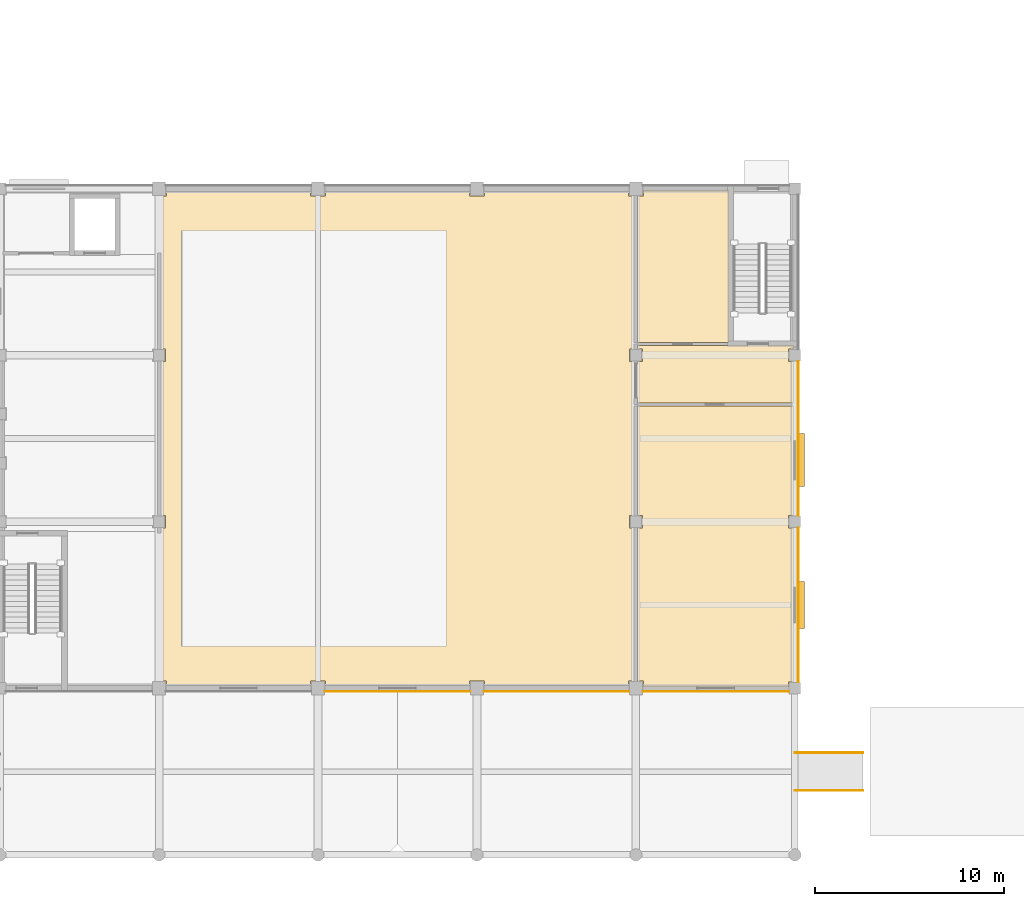
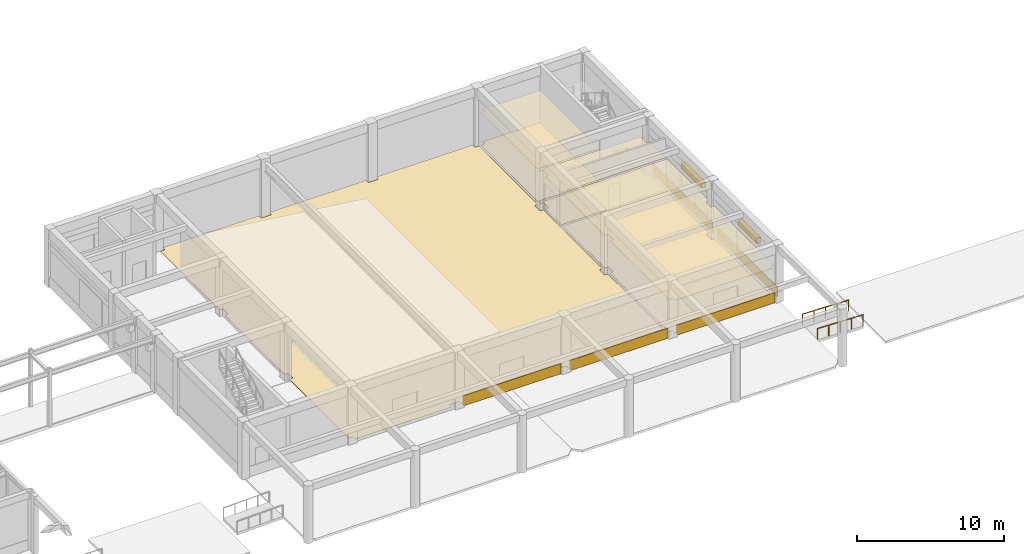
# One storey, part 47 of 58: 12 coverings, 2 railings, 2 shading devices.
"""IFC4 building model written with IfcOpenShell, lengths in metres."""

from ifc_helpers import new_model, si_unit, direction, frame, origin, origin_2d, place, context, subcontext, project, spatial, polyline, rectangle, circle, outline, extrude, material, layer, layer_set, type_object, element, save


model = new_model("IFC4")

# Units and contexts
model_context = context("Model", 3, precision=1e-05, world=origin(), true_north=direction((0.0, 1.0)))
body_context = subcontext(model_context, "Body", "Model", "MODEL_VIEW")
ifc_project = project(units=[si_unit("LENGTHUNIT", "METRE"), si_unit("AREAUNIT", "SQUARE_METRE"), si_unit("VOLUMEUNIT", "CUBIC_METRE"), si_unit("PLANEANGLEUNIT", "RADIAN"), si_unit("MASSUNIT", "GRAM", prefix="KILO")], contexts=[model_context])

# Site, building, storey
site_placement = place(None, origin())
site = spatial("IfcSite", under=ifc_project, at=site_placement, CompositionType="ELEMENT")
building_placement = place(site_placement, origin())
building = spatial("IfcBuilding", under=site, at=building_placement, Name="Kemercrest Conservatory and Botanical Centre", CompositionType="ELEMENT")
storey_placement = place(building_placement, origin())
storey = spatial("IfcBuildingStorey", under=building, at=storey_placement, Name="L00", CompositionType="ELEMENT", Elevation=0.0)

# Coverings
ifc_material_1 = material(Name="Honed limestone almasik ashlar rainscreen", Category="masonry")
ifc_layer_1 = layer(ifc_material_1, 0.0400390625)
ifc_layer_set_1 = layer_set([ifc_layer_1], Name="Honed limestone almasik ashlar rainscreen")
covering_type_1 = type_object("IfcCoveringType", Name="CV-CLD040", PredefinedType="CLADDING", material=ifc_layer_set_1)
covering_1_placement = place(storey_placement, origin())
element("IfcCovering", 1, at=covering_1_placement, inside=storey, type_object=covering_type_1, Name="Exterior stone spandrel cladding (WAL:L00:EXT-023)", PredefinedType="CLADDING", context=body_context, shape_type="SweptSolid", body=[
    extrude(outline(polyline([(75.56005859375, 16.64990234375), (75.56005859375, 16.610107421875), (83.239990234375, 16.610107421875), (83.239990234375, 16.64990234375), (75.56005859375, 16.64990234375)])), origin(), (0.0, 0.0, 1.0), 0.85009765625),
])
covering_2_placement = place(storey_placement, origin())
element("IfcCovering", 2, at=covering_2_placement, inside=storey, type_object=covering_type_1, Name="Exterior stone spandrel cladding (WAL:L00:EXT-024)", PredefinedType="CLADDING", context=body_context, shape_type="SweptSolid", body=[
    extrude(outline(polyline([(83.9599609375, 16.64990234375), (83.9599609375, 16.610107421875), (91.639892578125, 16.610107421875), (91.639892578125, 16.64990234375), (83.9599609375, 16.64990234375)])), origin(), (0.0, 0.0, 1.0), 0.85009765625),
])
covering_3_placement = place(storey_placement, origin())
element("IfcCovering", 3, at=covering_3_placement, inside=storey, type_object=covering_type_1, Name="Exterior stone spandrel cladding (WAL:L00:EXT-025)", PredefinedType="CLADDING", context=body_context, shape_type="SweptSolid", body=[
    extrude(outline(polyline([(92.360107421875, 16.64990234375), (92.360107421875, 16.610107421875), (100.090087890625, 16.610107421875), (100.090087890625, 16.64990234375), (92.360107421875, 16.64990234375)])), origin(), (0.0, 0.0, 1.0), 0.85009765625),
])
covering_4_placement = place(storey_placement, origin())
element("IfcCovering", 4, at=covering_4_placement, inside=storey, type_object=covering_type_1, Name="Exterior stone spandrel cladding (WAL:L00:EXT-026)", PredefinedType="CLADDING", context=body_context, shape_type="SweptSolid", body=[
    extrude(outline(polyline([(100.550048828125, 17.110107421875), (100.590087890625, 17.110107421875), (100.590087890625, 25.2900390625), (100.550048828125, 25.2900390625), (100.550048828125, 17.110107421875)])), origin(), (0.0, 0.0, 1.0), 0.85009765625),
])
covering_5_placement = place(storey_placement, origin())
element("IfcCovering", 5, at=covering_5_placement, inside=storey, type_object=covering_type_1, Name="Exterior stone spandrel cladding (WAL:L00:EXT-027)", PredefinedType="CLADDING", context=body_context, shape_type="SweptSolid", body=[
    extrude(outline(polyline([(100.550048828125, 25.909912109375), (100.590087890625, 25.909912109375), (100.590087890625, 34.090087890625), (100.550048828125, 34.090087890625), (100.550048828125, 25.909912109375)])), origin(), (0.0, 0.0, 1.0), 0.85009765625),
])
ifc_material_2 = material(Name="Perforated acoustic gypsum and mineral-fibre suspended ceiling", Category="gypsum")
ifc_layer_2 = layer(ifc_material_2, 0.034912109375)
ifc_layer_set_2 = layer_set([ifc_layer_2], Name="Perforated acoustic gypsum and mineral-fibre suspended ceiling")
covering_type_2 = type_object("IfcCoveringType", Name="CV-CLG035", PredefinedType="CEILING", material=ifc_layer_set_2)
covering_6_placement = place(storey_placement, frame((0.0, 0.0, 2.699951171875)))
element("IfcCovering", 6, at=covering_6_placement, inside=storey, type_object=covering_type_2, Name="Stage Support Corridor suspended acoustic ceiling", PredefinedType="CEILING", context=body_context, shape_type="SweptSolid", body=[
    extrude(outline(polyline([(92.080078125, 31.8798828125), (100.320068359375, 31.8798828125), (100.320068359375, 34.06005859375), (100.06005859375, 34.06005859375), (100.06005859375, 34.739990234375), (100.320068359375, 34.739990234375), (100.320068359375, 34.919921875), (92.080078125, 34.919921875), (92.080078125, 34.739990234375), (92.340087890625, 34.739990234375), (92.340087890625, 34.06005859375), (92.080078125, 34.06005859375), (92.080078125, 31.8798828125)])), origin(), (0.0, 0.0, 1.0), 0.03515625),
])
covering_7_placement = place(storey_placement, frame((0.0, 0.0, 2.699951171875)))
element("IfcCovering", 7, at=covering_7_placement, inside=storey, type_object=covering_type_2, Name="Speakers Green Room suspended acoustic ceiling", PredefinedType="CEILING", context=body_context, shape_type="SweptSolid", body=[
    extrude(outline(polyline([(92.389892578125, 16.8798828125), (100.06005859375, 16.8798828125), (100.06005859375, 17.139892578125), (100.320068359375, 17.139892578125), (100.320068359375, 25.260009765625), (100.06005859375, 25.260009765625), (100.06005859375, 25.93994140625), (100.320068359375, 25.93994140625), (100.320068359375, 31.719970703125), (92.080078125, 31.719970703125), (92.080078125, 25.93994140625), (92.340087890625, 25.93994140625), (92.340087890625, 25.260009765625), (92.080078125, 25.260009765625), (92.080078125, 17.18994140625), (92.389892578125, 17.18994140625), (92.389892578125, 16.8798828125)])), origin(), (0.0, 0.0, 1.0), 0.03515625),
])
covering_8_placement = place(storey_placement, frame((0.0, 0.0, 2.699951171875)))
element("IfcCovering", 8, at=covering_8_placement, inside=storey, type_object=covering_type_2, Name="Backstage Technical Studio suspended acoustic ceiling", PredefinedType="CEILING", context=body_context, shape_type="SweptSolid", body=[
    extrude(outline(polyline([(92.080078125, 35.080078125), (96.919921875, 35.080078125), (96.919921875, 43.1201171875), (92.389892578125, 43.1201171875), (92.389892578125, 42.81005859375), (92.080078125, 42.81005859375), (92.080078125, 35.080078125)])), origin(), (0.0, 0.0, 1.0), 0.03515625),
])
ifc_material_3 = material(Name="Polished limestone terrazzo and seamless laboratory epoxy flooring", Category="masonry")
ifc_layer_3 = layer(ifc_material_3, 0.02001953125)
ifc_layer_set_3 = layer_set([ifc_layer_3], Name="Polished limestone terrazzo and seamless laboratory epoxy flooring")
covering_type_3 = type_object("IfcCoveringType", Name="CV-FLR020", PredefinedType="FLOORING", material=ifc_layer_set_3)
covering_9_placement = place(storey_placement, origin())
element("IfcCovering", 9, at=covering_9_placement, inside=storey, type_object=covering_type_3, Name="Symposium Auditorium terrazzo floor finish", PredefinedType="FLOORING", context=body_context, shape_type="SweptSolid", body=[
    extrude(outline(polyline([(83.989990234375, 16.8798828125), (91.610107421875, 16.8798828125), (91.610107421875, 17.18994140625), (91.919921875, 17.18994140625), (91.919921875, 25.260009765625), (91.659912109375, 25.260009765625), (91.659912109375, 25.93994140625), (91.919921875, 25.93994140625), (91.919921875, 34.06005859375), (91.659912109375, 34.06005859375), (91.659912109375, 34.739990234375), (91.919921875, 34.739990234375), (91.919921875, 42.81005859375), (91.610107421875, 42.81005859375), (91.610107421875, 43.1201171875), (83.989990234375, 43.1201171875), (83.989990234375, 42.81005859375), (83.2099609375, 42.81005859375), (83.2099609375, 43.1201171875), (75.590087890625, 43.1201171875), (75.590087890625, 42.81005859375), (74.81005859375, 42.81005859375), (74.81005859375, 43.1201171875), (67.18994140625, 43.1201171875), (67.18994140625, 42.81005859375), (66.8798828125, 42.81005859375), (66.8798828125, 34.739990234375), (67.139892578125, 34.739990234375), (67.139892578125, 34.06005859375), (66.8798828125, 34.06005859375), (66.8798828125, 25.93994140625), (67.139892578125, 25.93994140625), (67.139892578125, 25.260009765625), (66.8798828125, 25.260009765625), (66.8798828125, 17.18994140625), (67.18994140625, 17.18994140625), (67.18994140625, 16.8798828125), (74.81005859375, 16.8798828125), (74.81005859375, 17.18994140625), (75.590087890625, 17.18994140625), (75.590087890625, 16.8798828125), (83.2099609375, 16.8798828125), (83.2099609375, 17.18994140625), (83.989990234375, 17.18994140625), (83.989990234375, 16.8798828125)])), origin(), (0.0, 0.0, 1.0), 0.02001953125),
])
covering_10_placement = place(storey_placement, origin())
element("IfcCovering", 10, at=covering_10_placement, inside=storey, type_object=covering_type_3, Name="Stage Support Corridor floor finish", PredefinedType="FLOORING", context=body_context, shape_type="SweptSolid", body=[
    extrude(outline(polyline([(92.080078125, 31.8798828125), (100.320068359375, 31.8798828125), (100.320068359375, 34.06005859375), (100.06005859375, 34.06005859375), (100.06005859375, 34.739990234375), (100.320068359375, 34.739990234375), (100.320068359375, 34.919921875), (92.080078125, 34.919921875), (92.080078125, 34.739990234375), (92.340087890625, 34.739990234375), (92.340087890625, 34.06005859375), (92.080078125, 34.06005859375), (92.080078125, 31.8798828125)])), origin(), (0.0, 0.0, 1.0), 0.02001953125),
])
covering_11_placement = place(storey_placement, origin())
element("IfcCovering", 11, at=covering_11_placement, inside=storey, type_object=covering_type_3, Name="Speakers Green Room floor finish", PredefinedType="FLOORING", context=body_context, shape_type="SweptSolid", body=[
    extrude(outline(polyline([(92.389892578125, 16.8798828125), (100.06005859375, 16.8798828125), (100.06005859375, 17.139892578125), (100.320068359375, 17.139892578125), (100.320068359375, 25.260009765625), (100.06005859375, 25.260009765625), (100.06005859375, 25.93994140625), (100.320068359375, 25.93994140625), (100.320068359375, 31.719970703125), (92.080078125, 31.719970703125), (92.080078125, 25.93994140625), (92.340087890625, 25.93994140625), (92.340087890625, 25.260009765625), (92.080078125, 25.260009765625), (92.080078125, 17.18994140625), (92.389892578125, 17.18994140625), (92.389892578125, 16.8798828125)])), origin(), (0.0, 0.0, 1.0), 0.02001953125),
])
covering_12_placement = place(storey_placement, origin())
element("IfcCovering", 12, at=covering_12_placement, inside=storey, type_object=covering_type_3, Name="Backstage Technical Studio floor finish", PredefinedType="FLOORING", context=body_context, shape_type="SweptSolid", body=[
    extrude(outline(polyline([(92.080078125, 35.080078125), (96.919921875, 35.080078125), (96.919921875, 43.1201171875), (92.389892578125, 43.1201171875), (92.389892578125, 42.81005859375), (92.080078125, 42.81005859375), (92.080078125, 35.080078125)])), origin(), (0.0, 0.0, 1.0), 0.02001953125),
])

# Railings
ifc_material_4 = material(Name="Architectural bronze-anodized steel balustrade", Category="steel")
railing_type = type_object("IfcRailingType", Name="HR-RMP092", PredefinedType="HANDRAIL", material=ifc_material_4)
for number, where, name in (
    (13, (104.0, 11.39990234375, -0.10009765625), "Accessible ramp AR-03 handrail 1"),
    (14, (104.0, 13.39990234375, -0.10009765625), "Accessible ramp AR-03 handrail 2"),
):
    element("IfcRailing", number, at=place(storey_placement, frame(where)), inside=storey, type_object=railing_type, Name=name, PredefinedType="HANDRAIL", context=body_context, shape_type="SweptSolid", body=[
        extrude(circle(Radius=0.02392578125, at=origin_2d()), frame((0.0, 0.0, 0.89599609375), z_axis=(-0.999613688584, 0.0, 0.027793409217), x_axis=(0.0, -1.0, 0.0)), (0.0, 0.0, 1.0), 3.6015625),
        extrude(circle(Radius=0.02099609375, at=origin_2d()), origin(), (0.0, 0.0, 1.0), 0.871826171875),
        extrude(circle(Radius=0.02099609375, at=origin_2d()), frame((-0.89990234375, 0.0, 0.02490234375)), (0.0, 0.0, 1.0), 0.871826171875),
        extrude(circle(Radius=0.02099609375, at=origin_2d()), frame((-1.800048828125, 0.0, 0.050048828125)), (0.0, 0.0, 1.0), 0.871826171875),
        extrude(circle(Radius=0.02099609375, at=origin_2d()), frame((-2.7001953125, 0.0, 0.0751953125)), (0.0, 0.0, 1.0), 0.871826171875),
        extrude(circle(Radius=0.02099609375, at=origin_2d()), frame((-3.60009765625, 0.0, 0.10009765625)), (0.0, 0.0, 1.0), 0.871826171875),
    ])

# Shading devices
ifc_material_5 = material(Name="Architectural bronze-anodized extruded aluminium", Category="aluminium")
shading_device_type_1 = type_object("IfcShadingDeviceType", Name="SH-JL02", PredefinedType="JALOUSIE", material=ifc_material_5)
shading_device_1_placement = place(storey_placement, frame((100.722900390625, 21.199951171875, 2.71484375), z_axis=(0.0, 0.0, 1.0), x_axis=(0.0, 1.0, 0.0)))
element("IfcShadingDevice", 15, at=shading_device_1_placement, inside=storey, type_object=shading_device_type_1, Name="Solar control louvre visor SH-JL02 (WIN:L00:EXT-026)", PredefinedType="JALOUSIE", context=body_context, shape_type="SweptSolid", body=[
    extrude(rectangle(XDim=2.5, YDim=0.35009765625, at=origin_2d()), origin(), (0.0, 0.0, 1.0), 0.449951171875),
])
shading_device_type_2 = type_object("IfcShadingDeviceType", Name="SH-JL03", PredefinedType="JALOUSIE", material=ifc_material_5)
shading_device_2_placement = place(storey_placement, frame((100.722900390625, 28.85498046875, 2.73486328125), z_axis=(0.0, 0.0, 1.0), x_axis=(0.0, 1.0, 0.0)))
element("IfcShadingDevice", 16, at=shading_device_2_placement, inside=storey, type_object=shading_device_type_2, Name="Solar control louvre visor SH-JL03 (WIN:L00:EXT-027)", PredefinedType="JALOUSIE", context=body_context, shape_type="SweptSolid", body=[
    extrude(rectangle(XDim=2.800048828125, YDim=0.35009765625, at=origin_2d()), origin(), (0.0, 0.0, 1.0), 0.449951171875),
])

save(model, "model.ifc")
